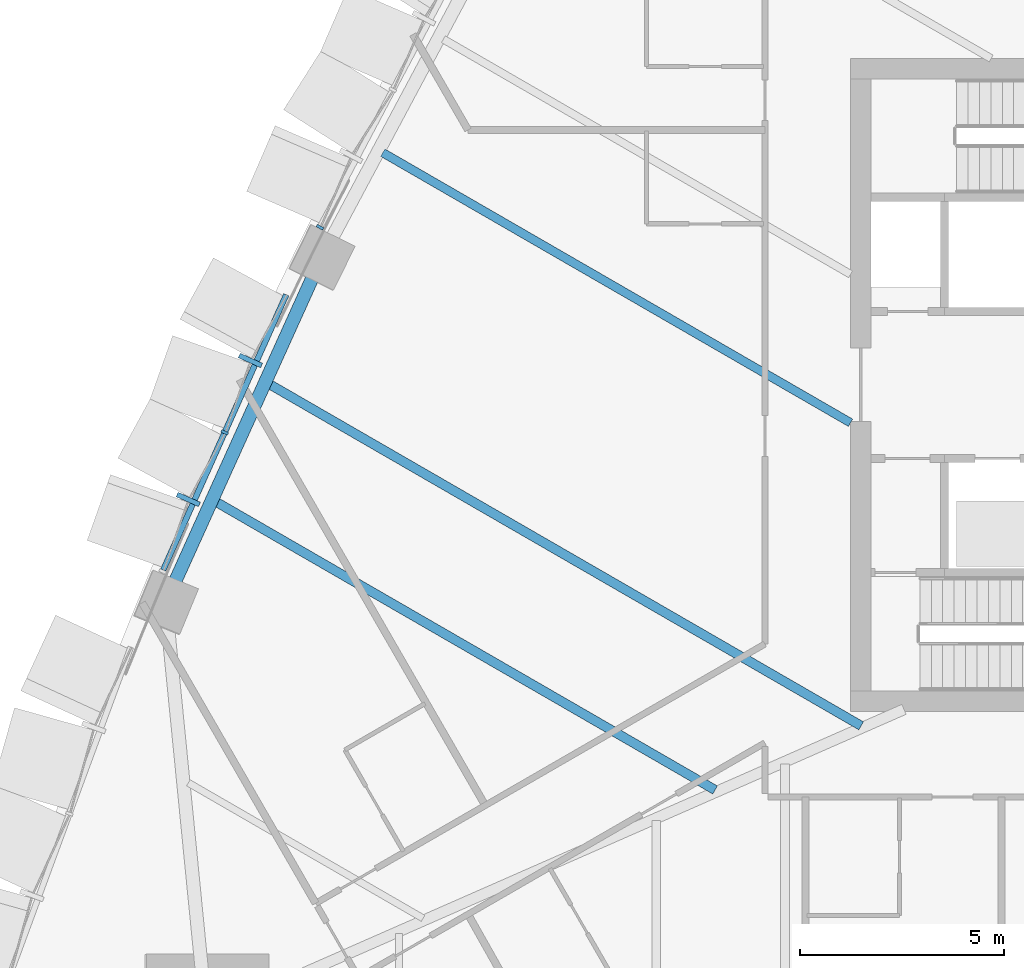
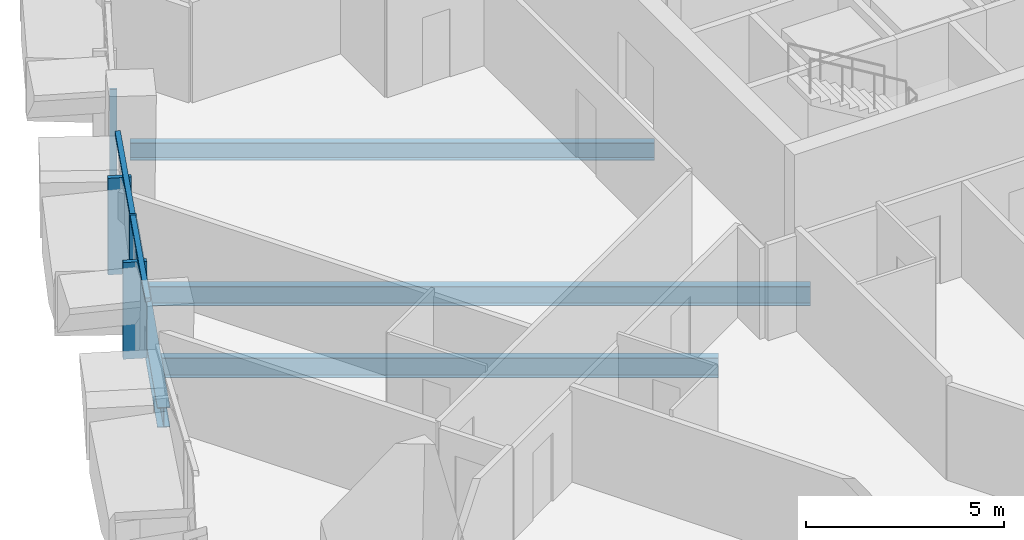
# One storey, part 3 of 22: 6 members, 4 beams, 2 elements without a shape of their own.
"""IFC4 building model written with IfcOpenShell, lengths in metres."""

from ifc_helpers import new_model, si_unit, direction, frame, origin, origin_2d, place, context, subcontext, project, spatial, rectangle, i_section, extrude, material, layer, layer_set, material_profile, profile_set, type_object, element, aggregate, save


model = new_model("IFC4")

# Units and contexts
model_context = context("Model", 3, precision=1e-05, world=origin(), true_north=direction((0.0, 1.0)))
body_context = subcontext(model_context, "Body", "Model", "MODEL_VIEW")
ifc_project = project(units=[si_unit("LENGTHUNIT", "METRE"), si_unit("AREAUNIT", "SQUARE_METRE"), si_unit("VOLUMEUNIT", "CUBIC_METRE"), si_unit("PLANEANGLEUNIT", "RADIAN"), si_unit("MASSUNIT", "GRAM", prefix="KILO")], contexts=[model_context])

# Site, building, storey
site_placement = place(None, origin())
site = spatial("IfcSite", under=ifc_project, at=site_placement, CompositionType="ELEMENT")
building_placement = place(site_placement, origin())
building = spatial("IfcBuilding", under=site, at=building_placement, Name="Sierra Prisma Convention Tower", CompositionType="ELEMENT")
storey_placement = place(building_placement, frame((0.0, 0.0, 62.800048828125)))
storey = spatial("IfcBuildingStorey", under=building, at=storey_placement, Name="L11", CompositionType="ELEMENT", Elevation=62.800048828125)

# Curtain wall, members
ifc_material_1 = material(Name="Aluminium and glass curtain wall", Category="aluminium")
ifc_layer = layer(ifc_material_1, 0.179931640625)
ifc_layer_set = layer_set([ifc_layer], Name="CW-2 Faceted crystal curtain wall")
curtain_wall_type = type_object("IfcCurtainWallType", Name="CW-2 Faceted crystal curtain wall", PredefinedType="NOTDEFINED", material=ifc_layer_set)
curtain_wall_1_placement = place(storey_placement, origin())
curtain_wall_1 = element("IfcCurtainWall", 1, at=curtain_wall_1_placement, inside=storey, type_object=curtain_wall_type, Name="CW-2 NW5 L11", PredefinedType="NOTDEFINED")
ifc_material_2 = material(Name="Aluminium 6063-T6 bronze anodised", Category="aluminium")
ifc_material_profile_1 = material_profile(ifc_material_2, rectangle(XDim=0.1201171875, YDim=0.60009765625, at=origin_2d()), Name="ALU RIDGE BLADE 120x600")
ifc_profile_set_1 = profile_set([ifc_material_profile_1], Name="Aluminium 6063-T6 bronze anodised")
member_type_1 = type_object("IfcMemberType", Name="CW hip bronze", PredefinedType="MULLION", material=ifc_profile_set_1)
member_1_placement = place(storey_placement, frame((-25.708984375, 0.597900390625, 0.0), z_axis=(0.0, 0.0, 1.0), x_axis=(-0.408052367478, -0.912958523371, 0.0)))
member_1 = element("IfcMember", 2, at=member_1_placement, type_object=member_type_1, Name="CW-2 ridge NW5.1", PredefinedType="MULLION", context=body_context, shape_type="SweptSolid", body=[
    extrude(rectangle(XDim=0.1201171875, YDim=0.60009765625, at=origin_2d()), origin(), (0.0, 0.0, 1.0), 2.97998046875),
])
member_2_placement = place(storey_placement, frame((-27.231689453125, -2.808837890625, 0.0), z_axis=(0.0, 0.0, 1.0), x_axis=(-0.408052367478, -0.912958523371, 0.0)))
member_2 = element("IfcMember", 3, at=member_2_placement, type_object=member_type_1, Name="CW-2 ridge NW5.2", PredefinedType="MULLION", context=body_context, shape_type="SweptSolid", body=[
    extrude(rectangle(XDim=0.1201171875, YDim=0.60009765625, at=origin_2d()), origin(), (0.0, 0.0, 1.0), 2.97998046875),
])

# Curtain wall, member
curtain_wall_2_placement = place(storey_placement, origin())
curtain_wall_2 = element("IfcCurtainWall", 4, at=curtain_wall_2_placement, inside=storey, type_object=curtain_wall_type, Name="CW-2 NW4 L11", PredefinedType="NOTDEFINED")
ifc_material_3 = material(Name="Aluminium 6063-T6 bronze anodised", Category="aluminium")
ifc_material_profile_2 = material_profile(ifc_material_3, rectangle(XDim=0.179931640625, YDim=0.070068359375, at=origin_2d()), Name="ALU MULLION 70x180")
ifc_profile_set_2 = profile_set([ifc_material_profile_2], Name="Aluminium 6063-T6 bronze anodised")
member_type_2 = type_object("IfcMemberType", Name="CW mullion bronze", PredefinedType="MULLION", material=ifc_profile_set_2)
member_3_placement = place(storey_placement, frame((-24.0048828125, 3.864013671875, 0.0), z_axis=(0.0, 0.0, 1.0), x_axis=(0.88360516229, -0.468232759613, 0.0)))
member_3 = element("IfcMember", 5, at=member_3_placement, type_object=member_type_2, Name="CW-1 mullion NW4.3", PredefinedType="MULLION", context=body_context, shape_type="SweptSolid", body=[
    extrude(rectangle(XDim=0.179931640625, YDim=0.070068359375, at=origin_2d()), origin(), (0.0, 0.0, 1.0), 3.099853515625),
])
aggregate(curtain_wall_2, [member_3])

# Member
member_4_placement = place(storey_placement, frame((-26.3388671875, -1.164306640625, 0.0), z_axis=(0.0, 0.0, 1.0), x_axis=(0.912958523371, -0.408052367478, 0.0)))
member_4 = element("IfcMember", 6, at=member_4_placement, type_object=member_type_2, Name="CW-1 mullion NW5.2", PredefinedType="MULLION", context=body_context, shape_type="SweptSolid", body=[
    extrude(rectangle(XDim=0.179931640625, YDim=0.070068359375, at=origin_2d()), origin(), (0.0, 0.0, 1.0), 3.099853515625),
])

ifc_material_4 = material(Name="Aluminium 6063-T6 bronze anodised", Category="aluminium")
ifc_material_profile_3 = material_profile(ifc_material_4, rectangle(XDim=0.139892578125, YDim=0.1201171875, at=origin_2d()), Name="ALU TRANSOM 120x140")
ifc_profile_set_3 = profile_set([ifc_material_profile_3], Name="Aluminium 6063-T6 bronze anodised")
member_type_3 = type_object("IfcMemberType", Name="CW transom bronze", PredefinedType="USERDEFINED", material=ifc_profile_set_3)
member_5_placement = place(storey_placement, frame((-24.830322265625, 2.21044921875, 3.0400390625), z_axis=(-0.408067777525, -0.912951635601, 0.0), x_axis=(0.912951635601, -0.408067777525, 0.0)))
member_5 = element("IfcMember", 7, at=member_5_placement, type_object=member_type_3, Name="CW-1 transom NW5.1", ObjectType="TRANSOM", PredefinedType="USERDEFINED", context=body_context, shape_type="SweptSolid", body=[
    extrude(rectangle(XDim=0.139892578125, YDim=0.1201171875, at=origin_2d()), origin(), (0.0, 0.0, 1.0), 3.66162109375),
])

member_6_placement = place(storey_placement, frame((-26.35302734375, -1.196044921875, 3.0400390625), z_axis=(-0.408067777525, -0.912951635601, 0.0), x_axis=(0.912951635601, -0.408067777525, 0.0)))
member_6 = element("IfcMember", 8, at=member_6_placement, type_object=member_type_3, Name="CW-1 transom NW5.2", ObjectType="TRANSOM", PredefinedType="USERDEFINED", context=body_context, shape_type="SweptSolid", body=[
    extrude(rectangle(XDim=0.139892578125, YDim=0.1201171875, at=origin_2d()), origin(), (0.0, 0.0, 1.0), 3.66162109375),
])

aggregate(curtain_wall_1, [member_4, member_5, member_1, member_6, member_2])

# Beams
ifc_material_5 = material(Name="Steel ASTM A992 Gr 50", Category="steel")
ifc_material_profile_4 = material_profile(ifc_material_5, i_section(OverallWidth=0.208984375, OverallDepth=0.532958984375, WebThickness=0.01025390625, FlangeThickness=0.015625, at=origin_2d()), Name="W530x92")
ifc_profile_set_4 = profile_set([ifc_material_profile_4], Name="Steel ASTM A992 Gr 50")
beam_type_1 = type_object("IfcBeamType", Name="Floor joist W530x92", PredefinedType="JOIST", material=ifc_profile_set_4)
beam_1_placement = place(storey_placement, frame((-22.464599609375, 5.691650390625, -0.41650390625), z_axis=(0.866023737097, -0.500002886777, 0.0), x_axis=(0.500002886777, 0.866023737097, 0.0)))
element("IfcBeam", 9, at=beam_1_placement, inside=storey, type_object=beam_type_1, Name="Floor joist L11 NW11", PredefinedType="JOIST", context=body_context, shape_type="SweptSolid", body=[
    extrude(i_section(OverallWidth=0.208984375, OverallDepth=0.532958984375, WebThickness=0.01025390625, FlangeThickness=0.015625, at=origin_2d()), origin(), (0.0, 0.0, 1.0), 13.23828125),
])
ifc_material_6 = material(Name="Steel ASTM A992 Gr 50", Category="steel")
ifc_material_profile_5 = material_profile(ifc_material_6, i_section(OverallWidth=0.22802734375, OverallDepth=0.60302734375, WebThickness=0.010498046875, FlangeThickness=0.014892578125, at=origin_2d()), Name="W610x101")
ifc_profile_set_5 = profile_set([ifc_material_profile_5], Name="Steel ASTM A992 Gr 50")
beam_type_2 = type_object("IfcBeamType", Name="Floor joist W610x101", PredefinedType="JOIST", material=ifc_profile_set_5)
beam_2_placement = place(storey_placement, frame((-25.244140625, 0.017822265625, -0.45166015625), z_axis=(0.866025846236, -0.49999923365, 0.0), x_axis=(0.49999923365, 0.866025846236, 0.0)))
element("IfcBeam", 10, at=beam_2_placement, inside=storey, type_object=beam_type_2, Name="Floor joist L11 NW13", PredefinedType="JOIST", context=body_context, shape_type="SweptSolid", body=[
    extrude(i_section(OverallWidth=0.22802734375, OverallDepth=0.60302734375, WebThickness=0.010498046875, FlangeThickness=0.014892578125, at=origin_2d()), origin(), (0.0, 0.0, 1.0), 16.7470703125),
])
beam_3_placement = place(storey_placement, frame((-26.548828125, -2.8681640625, -0.45166015625), z_axis=(0.866028959754, -0.499993840829, 0.0), x_axis=(0.499993840829, 0.866028959754, 0.0)))
element("IfcBeam", 11, at=beam_3_placement, inside=storey, type_object=beam_type_2, Name="Floor joist L11 NW14", PredefinedType="JOIST", context=body_context, shape_type="SweptSolid", body=[
    extrude(i_section(OverallWidth=0.22802734375, OverallDepth=0.60302734375, WebThickness=0.010498046875, FlangeThickness=0.014892578125, at=origin_2d()), origin(), (0.0, 0.0, 1.0), 14.120849609375),
])
ifc_material_7 = material(Name="Steel ASTM A992 Gr 50", Category="steel")
ifc_material_profile_6 = material_profile(ifc_material_7, i_section(OverallWidth=0.324951171875, OverallDepth=0.615966796875, WebThickness=0.013916015625, FlangeThickness=0.021484375, at=origin_2d()), Name="W610x174")
ifc_profile_set_6 = profile_set([ifc_material_profile_6], Name="Steel ASTM A992 Gr 50")
beam_type_3 = type_object("IfcBeamType", Name="Spandrel beam W610x174", PredefinedType="BEAM", material=ifc_profile_set_6)
beam_4_placement = place(storey_placement, frame((-24.162353515625, 2.6845703125, -0.4580078125), z_axis=(-0.411916805036, -0.911221458115, 0.0), x_axis=(0.911221458115, -0.411916805036, 0.0)))
element("IfcBeam", 12, at=beam_4_placement, inside=storey, type_object=beam_type_3, Name="Spandrel L11-17", PredefinedType="BEAM", context=body_context, shape_type="SweptSolid", body=[
    extrude(i_section(OverallWidth=0.324951171875, OverallDepth=0.615966796875, WebThickness=0.013916015625, FlangeThickness=0.021484375, at=origin_2d()), origin(), (0.0, 0.0, 1.0), 8.322509765625),
])

save(model, "model.ifc")
